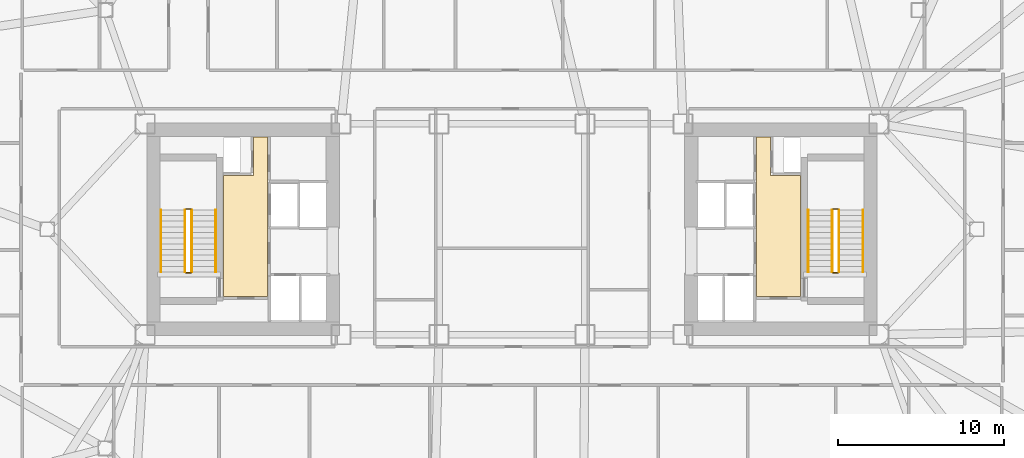
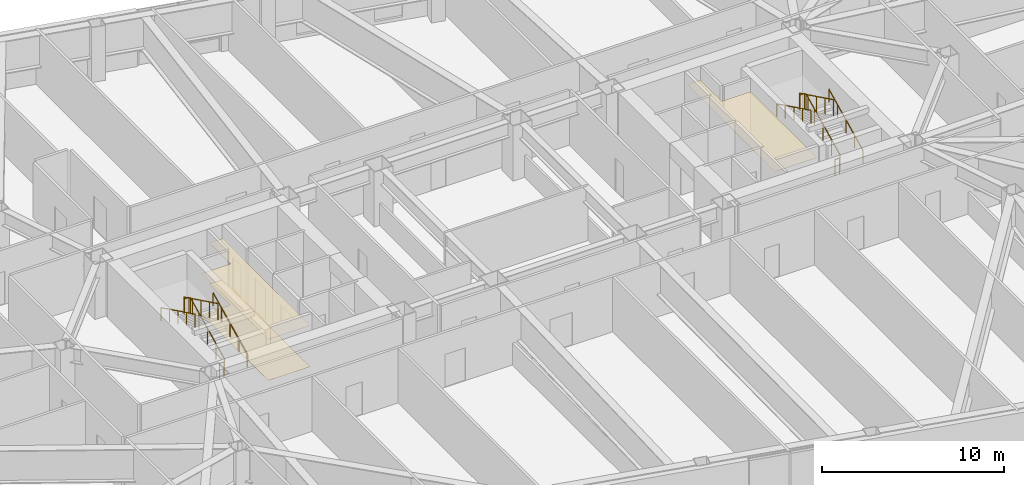
# One storey, part 19 of 19: 12 railings, 3 coverings.
"""IFC4 building model written with IfcOpenShell, lengths in metres."""

from ifc_helpers import new_model, si_unit, direction, frame, origin, origin_2d, place, context, subcontext, project, spatial, polyline, rectangle, outline, extrude, material, layer, layer_set, type_object, element, save


model = new_model("IFC4")

# Units and contexts
model_context = context("Model", 3, precision=1e-05, world=origin(), true_north=direction((0.0, 1.0)))
body_context = subcontext(model_context, "Body", "Model", "MODEL_VIEW")
ifc_project = project(units=[si_unit("LENGTHUNIT", "METRE"), si_unit("AREAUNIT", "SQUARE_METRE"), si_unit("VOLUMEUNIT", "CUBIC_METRE"), si_unit("PLANEANGLEUNIT", "RADIAN"), si_unit("MASSUNIT", "GRAM", prefix="KILO")], contexts=[model_context])

# Site, building, storey
site_placement = place(None, origin())
site = spatial("IfcSite", under=ifc_project, at=site_placement, CompositionType="ELEMENT")
building_placement = place(site_placement, origin())
building = spatial("IfcBuilding", under=site, at=building_placement, Name="Tavrogorsk Clinical Tower", CompositionType="ELEMENT")
storey_placement = place(building_placement, frame((0.0, 0.0, 79.39990234375)))
storey = spatial("IfcBuildingStorey", under=building, at=storey_placement, Name="L17", CompositionType="ELEMENT", Elevation=79.39990234375)

# Coverings
ifc_material_1 = material(Name="Antibacterial micro-perforated aluminium ceiling", Category="aluminium")
ifc_layer_1 = layer(ifc_material_1, 0.014892578125)
ifc_layer_set_1 = layer_set([ifc_layer_1], Name="Antibacterial micro-perforated aluminium ceiling")
covering_type_1 = type_object("IfcCoveringType", Name="ClinicalCeiling_15", PredefinedType="CEILING", material=ifc_layer_set_1)
covering_1_placement = place(storey_placement, frame((0.0, 0.0, 2.75)))
element("IfcCovering", 1, at=covering_1_placement, inside=storey, type_object=covering_type_1, Name="Core West Firefighting Lift Lobby Acoustic Ceiling", PredefinedType="CEILING", context=body_context, shape_type="SweptSolid", body=[
    extrude(outline(polyline([(-14.719970703125, 5.56005859375), (-14.719970703125, -4.06005859375), (-17.3798828125, -4.06005859375), (-17.3798828125, 3.239990234375), (-15.56005859375, 3.239990234375), (-15.56005859375, 5.56005859375), (-14.719970703125, 5.56005859375)])), origin(), (0.0, 0.0, 1.0), 0.01513671875),
])
covering_2_placement = place(storey_placement, frame((0.0, 0.0, 2.75)))
element("IfcCovering", 2, at=covering_2_placement, inside=storey, type_object=covering_type_1, Name="Core East Firefighting Lift Lobby Acoustic Ceiling", PredefinedType="CEILING", context=body_context, shape_type="SweptSolid", body=[
    extrude(outline(polyline([(17.3798828125, -4.06005859375), (14.719970703125, -4.06005859375), (14.719970703125, 5.56005859375), (15.56005859375, 5.56005859375), (15.56005859375, 3.239990234375), (17.3798828125, 3.239990234375), (17.3798828125, -4.06005859375)])), origin(), (0.0, 0.0, 1.0), 0.01513671875),
])
ifc_material_2 = material(Name="Homogeneous medical conductive PVC flooring")
ifc_layer_2 = layer(ifc_material_2, 0.008056640625)
ifc_layer_set_2 = layer_set([ifc_layer_2], Name="Homogeneous medical conductive PVC flooring")
covering_type_2 = type_object("IfcCoveringType", Name="ResilientVinylFloor_8", PredefinedType="FLOORING", material=ifc_layer_set_2)
covering_3_placement = place(storey_placement, origin())
element("IfcCovering", 3, at=covering_3_placement, inside=storey, type_object=covering_type_2, Name="Core West Firefighting Lift Lobby Conductive Vinyl Flooring", PredefinedType="FLOORING", context=body_context, shape_type="SweptSolid", body=[
    extrude(outline(polyline([(-14.719970703125, 5.56005859375), (-14.719970703125, -4.06005859375), (-17.3798828125, -4.06005859375), (-17.3798828125, 3.239990234375), (-15.56005859375, 3.239990234375), (-15.56005859375, 5.56005859375), (-14.719970703125, 5.56005859375)])), origin(), (0.0, 0.0, 1.0), 0.008056640625),
])

# Railings
ifc_material_3 = material(Name="Galvanised steel S355 safety stairwell guard", Category="steel")
ifc_layer_3 = layer(ifc_material_3, 0.06005859375)
ifc_layer_set_3 = layer_set([ifc_layer_3], Name="Galvanised steel S355 safety stairwell guard")
railing_type_1 = type_object("IfcRailingType", Name="StairGuard_1150", PredefinedType="GUARDRAIL", material=ifc_layer_set_3)
railing_1_placement = place(storey_placement, frame((-19.300048828125, -2.574951171875, 0.166748046875)))
element("IfcRailing", 4, at=railing_1_placement, inside=storey, type_object=railing_type_1, Name="L17 ST-W stair guard 1", PredefinedType="GUARDRAIL", context=body_context, shape_type="SweptSolid", body=[
    extrude(rectangle(XDim=0.048095703125, YDim=0.048095703125, at=origin_2d()), frame((0.0, 0.0, 1.076171875), z_axis=(0.0, 0.897927990467, 0.440142390523), x_axis=(-1.0, 0.0, 0.0)), (0.0, 0.0, 1.0), 4.1650390625),
    extrude(rectangle(XDim=0.0419921875, YDim=0.0419921875, at=origin_2d()), origin(), (0.0, 0.0, 1.0), 1.052001953125),
    extrude(rectangle(XDim=0.0419921875, YDim=0.0419921875, at=origin_2d()), frame((0.0, 0.93505859375, 0.458251953125)), (0.0, 0.0, 1.0), 1.052001953125),
    extrude(rectangle(XDim=0.0419921875, YDim=0.0419921875, at=origin_2d()), frame((0.0, 1.8701171875, 0.91650390625)), (0.0, 0.0, 1.0), 1.052001953125),
    extrude(rectangle(XDim=0.0419921875, YDim=0.0419921875, at=origin_2d()), frame((0.0, 2.804931640625, 1.375)), (0.0, 0.0, 1.0), 1.052001953125),
    extrude(rectangle(XDim=0.0419921875, YDim=0.0419921875, at=origin_2d()), frame((0.0, 3.739990234375, 1.833251953125)), (0.0, 0.0, 1.0), 1.052001953125),
])
railing_2_placement = place(storey_placement, frame((-19.35009765625, 1.215087890625, 2.0)))
element("IfcRailing", 5, at=railing_2_placement, inside=storey, type_object=railing_type_1, Name="L17 ST-W stair guard 2", PredefinedType="GUARDRAIL", context=body_context, shape_type="SweptSolid", body=[
    extrude(rectangle(XDim=0.048095703125, YDim=0.048095703125, at=origin_2d()), frame((0.0, 0.0, 1.076171875), z_axis=(-1.0, 0.0, 0.0), x_axis=(0.0, -1.0, 0.0)), (0.0, 0.0, 1.0), 0.2998046875),
    extrude(rectangle(XDim=0.0419921875, YDim=0.0419921875, at=origin_2d()), origin(), (0.0, 0.0, 1.0), 1.052001953125),
    extrude(rectangle(XDim=0.0419921875, YDim=0.0419921875, at=origin_2d()), frame((-0.2998046875, 0.0, 0.0)), (0.0, 0.0, 1.0), 1.052001953125),
])
railing_3_placement = place(storey_placement, frame((-19.699951171875, 1.1650390625, 2.166748046875)))
element("IfcRailing", 6, at=railing_3_placement, inside=storey, type_object=railing_type_1, Name="L17 ST-W stair guard 3", PredefinedType="GUARDRAIL", context=body_context, shape_type="SweptSolid", body=[
    extrude(rectangle(XDim=0.048095703125, YDim=0.048095703125, at=origin_2d()), frame((0.0, 0.0, 1.076171875), z_axis=(0.0, -0.897927990467, 0.440142390523), x_axis=(1.0, 0.0, 0.0)), (0.0, 0.0, 1.0), 4.1650390625),
    extrude(rectangle(XDim=0.0419921875, YDim=0.0419921875, at=origin_2d()), origin(), (0.0, 0.0, 1.0), 1.052001953125),
    extrude(rectangle(XDim=0.0419921875, YDim=0.0419921875, at=origin_2d()), frame((0.0, -0.93505859375, 0.458251953125)), (0.0, 0.0, 1.0), 1.052001953125),
    extrude(rectangle(XDim=0.0419921875, YDim=0.0419921875, at=origin_2d()), frame((0.0, -1.8701171875, 0.91650390625)), (0.0, 0.0, 1.0), 1.052001953125),
    extrude(rectangle(XDim=0.0419921875, YDim=0.0419921875, at=origin_2d()), frame((0.0, -2.804931640625, 1.375)), (0.0, 0.0, 1.0), 1.052001953125),
    extrude(rectangle(XDim=0.0419921875, YDim=0.0419921875, at=origin_2d()), frame((0.0, -3.739990234375, 1.833251953125)), (0.0, 0.0, 1.0), 1.052001953125),
])
railing_4_placement = place(storey_placement, frame((-19.35009765625, -2.625, 0.0)))
element("IfcRailing", 7, at=railing_4_placement, inside=storey, type_object=railing_type_1, Name="L17 ST-W stair guard 4", PredefinedType="GUARDRAIL", context=body_context, shape_type="SweptSolid", body=[
    extrude(rectangle(XDim=0.048095703125, YDim=0.048095703125, at=origin_2d()), frame((0.0, 0.0, 1.076171875), z_axis=(-1.0, 0.0, 0.0), x_axis=(0.0, -1.0, 0.0)), (0.0, 0.0, 1.0), 0.2998046875),
    extrude(rectangle(XDim=0.0419921875, YDim=0.0419921875, at=origin_2d()), origin(), (0.0, 0.0, 1.0), 1.052001953125),
    extrude(rectangle(XDim=0.0419921875, YDim=0.0419921875, at=origin_2d()), frame((-0.2998046875, 0.0, 0.0)), (0.0, 0.0, 1.0), 1.052001953125),
])
railing_5_placement = place(storey_placement, frame((19.699951171875, -2.574951171875, 0.166748046875)))
element("IfcRailing", 8, at=railing_5_placement, inside=storey, type_object=railing_type_1, Name="L17 ST-E stair guard 1", PredefinedType="GUARDRAIL", context=body_context, shape_type="SweptSolid", body=[
    extrude(rectangle(XDim=0.048095703125, YDim=0.048095703125, at=origin_2d()), frame((0.0, 0.0, 1.076171875), z_axis=(0.0, 0.897927990467, 0.440142390523), x_axis=(-1.0, 0.0, 0.0)), (0.0, 0.0, 1.0), 4.1650390625),
    extrude(rectangle(XDim=0.0419921875, YDim=0.0419921875, at=origin_2d()), origin(), (0.0, 0.0, 1.0), 1.052001953125),
    extrude(rectangle(XDim=0.0419921875, YDim=0.0419921875, at=origin_2d()), frame((0.0, 0.93505859375, 0.458251953125)), (0.0, 0.0, 1.0), 1.052001953125),
    extrude(rectangle(XDim=0.0419921875, YDim=0.0419921875, at=origin_2d()), frame((0.0, 1.8701171875, 0.91650390625)), (0.0, 0.0, 1.0), 1.052001953125),
    extrude(rectangle(XDim=0.0419921875, YDim=0.0419921875, at=origin_2d()), frame((0.0, 2.804931640625, 1.375)), (0.0, 0.0, 1.0), 1.052001953125),
    extrude(rectangle(XDim=0.0419921875, YDim=0.0419921875, at=origin_2d()), frame((0.0, 3.739990234375, 1.833251953125)), (0.0, 0.0, 1.0), 1.052001953125),
])
railing_6_placement = place(storey_placement, frame((19.64990234375, 1.215087890625, 2.0)))
element("IfcRailing", 9, at=railing_6_placement, inside=storey, type_object=railing_type_1, Name="L17 ST-E stair guard 2", PredefinedType="GUARDRAIL", context=body_context, shape_type="SweptSolid", body=[
    extrude(rectangle(XDim=0.048095703125, YDim=0.048095703125, at=origin_2d()), frame((0.0, 0.0, 1.076171875), z_axis=(-1.0, 0.0, 0.0), x_axis=(0.0, -1.0, 0.0)), (0.0, 0.0, 1.0), 0.2998046875),
    extrude(rectangle(XDim=0.0419921875, YDim=0.0419921875, at=origin_2d()), origin(), (0.0, 0.0, 1.0), 1.052001953125),
    extrude(rectangle(XDim=0.0419921875, YDim=0.0419921875, at=origin_2d()), frame((-0.2998046875, 0.0, 0.0)), (0.0, 0.0, 1.0), 1.052001953125),
])
railing_7_placement = place(storey_placement, frame((19.300048828125, 1.1650390625, 2.166748046875)))
element("IfcRailing", 10, at=railing_7_placement, inside=storey, type_object=railing_type_1, Name="L17 ST-E stair guard 3", PredefinedType="GUARDRAIL", context=body_context, shape_type="SweptSolid", body=[
    extrude(rectangle(XDim=0.048095703125, YDim=0.048095703125, at=origin_2d()), frame((0.0, 0.0, 1.076171875), z_axis=(0.0, -0.897927990467, 0.440142390523), x_axis=(1.0, 0.0, 0.0)), (0.0, 0.0, 1.0), 4.1650390625),
    extrude(rectangle(XDim=0.0419921875, YDim=0.0419921875, at=origin_2d()), origin(), (0.0, 0.0, 1.0), 1.052001953125),
    extrude(rectangle(XDim=0.0419921875, YDim=0.0419921875, at=origin_2d()), frame((0.0, -0.93505859375, 0.458251953125)), (0.0, 0.0, 1.0), 1.052001953125),
    extrude(rectangle(XDim=0.0419921875, YDim=0.0419921875, at=origin_2d()), frame((0.0, -1.8701171875, 0.91650390625)), (0.0, 0.0, 1.0), 1.052001953125),
    extrude(rectangle(XDim=0.0419921875, YDim=0.0419921875, at=origin_2d()), frame((0.0, -2.804931640625, 1.375)), (0.0, 0.0, 1.0), 1.052001953125),
    extrude(rectangle(XDim=0.0419921875, YDim=0.0419921875, at=origin_2d()), frame((0.0, -3.739990234375, 1.833251953125)), (0.0, 0.0, 1.0), 1.052001953125),
])
railing_8_placement = place(storey_placement, frame((19.64990234375, -2.625, 0.0)))
element("IfcRailing", 11, at=railing_8_placement, inside=storey, type_object=railing_type_1, Name="L17 ST-E stair guard 4", PredefinedType="GUARDRAIL", context=body_context, shape_type="SweptSolid", body=[
    extrude(rectangle(XDim=0.048095703125, YDim=0.048095703125, at=origin_2d()), frame((0.0, 0.0, 1.076171875), z_axis=(-1.0, 0.0, 0.0), x_axis=(0.0, -1.0, 0.0)), (0.0, 0.0, 1.0), 0.2998046875),
    extrude(rectangle(XDim=0.0419921875, YDim=0.0419921875, at=origin_2d()), origin(), (0.0, 0.0, 1.0), 1.052001953125),
    extrude(rectangle(XDim=0.0419921875, YDim=0.0419921875, at=origin_2d()), frame((-0.2998046875, 0.0, 0.0)), (0.0, 0.0, 1.0), 1.052001953125),
])
ifc_material_4 = material(Name="Stainless steel AISI 304 tubular handrail", Category="steel")
ifc_layer_4 = layer(ifc_material_4, 0.050048828125)
ifc_layer_set_4 = layer_set([ifc_layer_4], Name="Stainless steel AISI 304 tubular handrail")
railing_type_2 = type_object("IfcRailingType", Name="StairHandrail_920", PredefinedType="HANDRAIL", material=ifc_layer_set_4)
railing_9_placement = place(storey_placement, frame((-17.85009765625, -2.574951171875, 0.166748046875)))
element("IfcRailing", 12, at=railing_9_placement, inside=storey, type_object=railing_type_2, Name="L17 ST-W stair handrail 1", PredefinedType="HANDRAIL", context=body_context, shape_type="SweptSolid", body=[
    extrude(rectangle(XDim=0.048095703125, YDim=0.048095703125, at=origin_2d()), frame((0.0, 0.0, 0.8759765625), z_axis=(0.0, 0.897927990467, 0.440142390523), x_axis=(-1.0, 0.0, 0.0)), (0.0, 0.0, 1.0), 4.1650390625),
    extrude(rectangle(XDim=0.0419921875, YDim=0.0419921875, at=origin_2d()), origin(), (0.0, 0.0, 1.0), 0.851806640625),
    extrude(rectangle(XDim=0.0419921875, YDim=0.0419921875, at=origin_2d()), frame((0.0, 0.93505859375, 0.458251953125)), (0.0, 0.0, 1.0), 0.851806640625),
    extrude(rectangle(XDim=0.0419921875, YDim=0.0419921875, at=origin_2d()), frame((0.0, 1.8701171875, 0.91650390625)), (0.0, 0.0, 1.0), 0.851806640625),
    extrude(rectangle(XDim=0.0419921875, YDim=0.0419921875, at=origin_2d()), frame((0.0, 2.804931640625, 1.375)), (0.0, 0.0, 1.0), 0.851806640625),
    extrude(rectangle(XDim=0.0419921875, YDim=0.0419921875, at=origin_2d()), frame((0.0, 3.739990234375, 1.833251953125)), (0.0, 0.0, 1.0), 0.851806640625),
])
railing_10_placement = place(storey_placement, frame((-21.14990234375, 1.1650390625, 2.166748046875)))
element("IfcRailing", 13, at=railing_10_placement, inside=storey, type_object=railing_type_2, Name="L17 ST-W stair handrail 2", PredefinedType="HANDRAIL", context=body_context, shape_type="SweptSolid", body=[
    extrude(rectangle(XDim=0.048095703125, YDim=0.048095703125, at=origin_2d()), frame((0.0, 0.0, 0.8759765625), z_axis=(0.0, -0.897927990467, 0.440142390523), x_axis=(1.0, 0.0, 0.0)), (0.0, 0.0, 1.0), 4.1650390625),
    extrude(rectangle(XDim=0.0419921875, YDim=0.0419921875, at=origin_2d()), origin(), (0.0, 0.0, 1.0), 0.851806640625),
    extrude(rectangle(XDim=0.0419921875, YDim=0.0419921875, at=origin_2d()), frame((0.0, -0.93505859375, 0.458251953125)), (0.0, 0.0, 1.0), 0.851806640625),
    extrude(rectangle(XDim=0.0419921875, YDim=0.0419921875, at=origin_2d()), frame((0.0, -1.8701171875, 0.91650390625)), (0.0, 0.0, 1.0), 0.851806640625),
    extrude(rectangle(XDim=0.0419921875, YDim=0.0419921875, at=origin_2d()), frame((0.0, -2.804931640625, 1.375)), (0.0, 0.0, 1.0), 0.851806640625),
    extrude(rectangle(XDim=0.0419921875, YDim=0.0419921875, at=origin_2d()), frame((0.0, -3.739990234375, 1.833251953125)), (0.0, 0.0, 1.0), 0.851806640625),
])
railing_11_placement = place(storey_placement, frame((21.14990234375, -2.574951171875, 0.166748046875)))
element("IfcRailing", 14, at=railing_11_placement, inside=storey, type_object=railing_type_2, Name="L17 ST-E stair handrail 1", PredefinedType="HANDRAIL", context=body_context, shape_type="SweptSolid", body=[
    extrude(rectangle(XDim=0.048095703125, YDim=0.048095703125, at=origin_2d()), frame((0.0, 0.0, 0.8759765625), z_axis=(0.0, 0.897927990467, 0.440142390523), x_axis=(-1.0, 0.0, 0.0)), (0.0, 0.0, 1.0), 4.1650390625),
    extrude(rectangle(XDim=0.0419921875, YDim=0.0419921875, at=origin_2d()), origin(), (0.0, 0.0, 1.0), 0.851806640625),
    extrude(rectangle(XDim=0.0419921875, YDim=0.0419921875, at=origin_2d()), frame((0.0, 0.93505859375, 0.458251953125)), (0.0, 0.0, 1.0), 0.851806640625),
    extrude(rectangle(XDim=0.0419921875, YDim=0.0419921875, at=origin_2d()), frame((0.0, 1.8701171875, 0.91650390625)), (0.0, 0.0, 1.0), 0.851806640625),
    extrude(rectangle(XDim=0.0419921875, YDim=0.0419921875, at=origin_2d()), frame((0.0, 2.804931640625, 1.375)), (0.0, 0.0, 1.0), 0.851806640625),
    extrude(rectangle(XDim=0.0419921875, YDim=0.0419921875, at=origin_2d()), frame((0.0, 3.739990234375, 1.833251953125)), (0.0, 0.0, 1.0), 0.851806640625),
])
railing_12_placement = place(storey_placement, frame((17.85009765625, 1.1650390625, 2.166748046875)))
element("IfcRailing", 15, at=railing_12_placement, inside=storey, type_object=railing_type_2, Name="L17 ST-E stair handrail 2", PredefinedType="HANDRAIL", context=body_context, shape_type="SweptSolid", body=[
    extrude(rectangle(XDim=0.048095703125, YDim=0.048095703125, at=origin_2d()), frame((0.0, 0.0, 0.8759765625), z_axis=(0.0, -0.897927990467, 0.440142390523), x_axis=(1.0, 0.0, 0.0)), (0.0, 0.0, 1.0), 4.1650390625),
    extrude(rectangle(XDim=0.0419921875, YDim=0.0419921875, at=origin_2d()), origin(), (0.0, 0.0, 1.0), 0.851806640625),
    extrude(rectangle(XDim=0.0419921875, YDim=0.0419921875, at=origin_2d()), frame((0.0, -0.93505859375, 0.458251953125)), (0.0, 0.0, 1.0), 0.851806640625),
    extrude(rectangle(XDim=0.0419921875, YDim=0.0419921875, at=origin_2d()), frame((0.0, -1.8701171875, 0.91650390625)), (0.0, 0.0, 1.0), 0.851806640625),
    extrude(rectangle(XDim=0.0419921875, YDim=0.0419921875, at=origin_2d()), frame((0.0, -2.804931640625, 1.375)), (0.0, 0.0, 1.0), 0.851806640625),
    extrude(rectangle(XDim=0.0419921875, YDim=0.0419921875, at=origin_2d()), frame((0.0, -3.739990234375, 1.833251953125)), (0.0, 0.0, 1.0), 0.851806640625),
])

save(model, "model.ifc")
